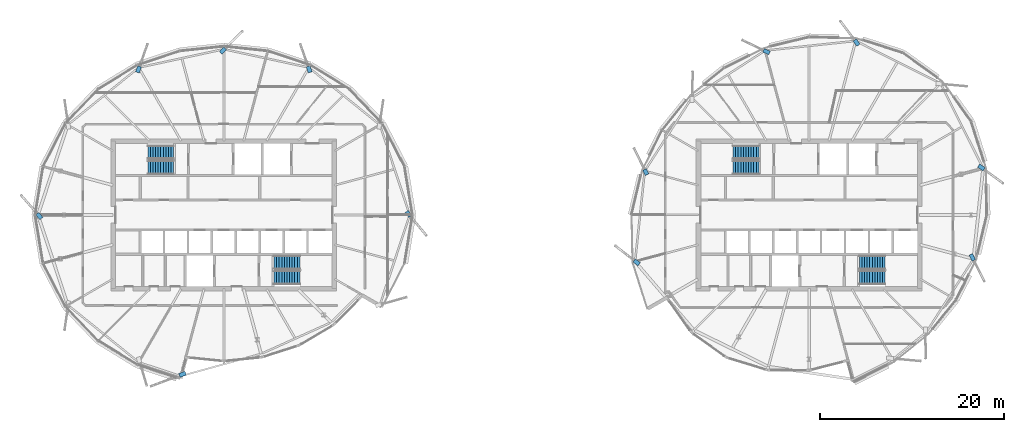
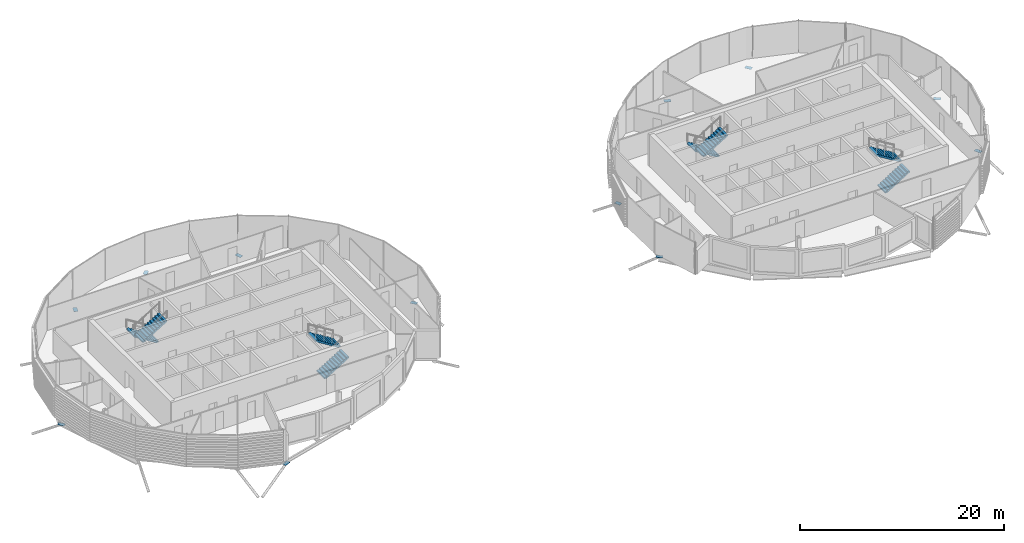
# One storey, part 22 of 33: 12 discrete accessories, 8 stair flights, 4 elements without a shape of their own.
"""IFC4 building model written with IfcOpenShell, lengths in metres."""

from ifc_helpers import new_model, si_unit, direction, frame, origin, origin_2d, place, context, subcontext, project, spatial, polyline, rectangle, outline, extrude, material, material_profile, profile_set, type_object, element, aggregate, save


model = new_model("IFC4")

# Units and contexts
model_context = context("Model", 3, precision=1e-05, world=origin(), true_north=direction((0.0, 1.0)))
body_context = subcontext(model_context, "Body", "Model", "MODEL_VIEW")
ifc_project = project(units=[si_unit("LENGTHUNIT", "METRE"), si_unit("AREAUNIT", "SQUARE_METRE"), si_unit("VOLUMEUNIT", "CUBIC_METRE"), si_unit("PLANEANGLEUNIT", "RADIAN"), si_unit("MASSUNIT", "GRAM", prefix="KILO")], contexts=[model_context])

# Site, building, storey
site_placement = place(None, origin())
site = spatial("IfcSite", under=ifc_project, at=site_placement, CompositionType="ELEMENT")
building_placement = place(site_placement, origin())
building = spatial("IfcBuilding", under=site, at=building_placement, Name="Rimbun Link Towers", CompositionType="ELEMENT")
storey_placement = place(building_placement, frame((0.0, 0.0, 240.89990234375)))
storey = spatial("IfcBuildingStorey", under=building, at=storey_placement, Name="L59", CompositionType="ELEMENT", Elevation=240.89990234375)

# Stair, stair flights
ifc_material_1 = material(Name="Concrete C40/50", Category="concrete")
stair_type = type_object("IfcStairType", Name="Exit stair 3800 rise", PredefinedType="HALF_TURN_STAIR", material=ifc_material_1)
stair_1_placement = place(storey_placement, origin())
stair_1 = element("IfcStair", 1, at=stair_1_placement, inside=storey, type_object=stair_type, Name="L59 EXIT STAIR A", PredefinedType="HALF_TURN_STAIR")
ifc_material_2 = material(Name="Concrete C40/50", Category="concrete")
stair_flight_type = type_object("IfcStairFlightType", Name="Exit stair flight 3800 rise", PredefinedType="STRAIGHT", material=ifc_material_2)
stair_flight_1_placement = place(storey_placement, frame((-37.199951171875, 6.800048828125, 0.0), z_axis=(0.0, 0.0, 1.0), x_axis=(-1.0, 0.0, 0.0)))
stair_flight_1 = element("IfcStairFlight", 2, at=stair_flight_1_placement, type_object=stair_flight_type, Name="ST1 flight 1", NumberOfRisers=11, NumberOfTreads=10, PredefinedType="STRAIGHT", RiserHeight=0.172727273, TreadLength=0.28, context=body_context, shape_type="SweptSolid", body=[
    extrude(outline(polyline([(0.0, 0.0), (0.0, 0.172607421875), (0.280029296875, 0.172607421875), (0.280029296875, 0.345458984375), (0.56005859375, 0.345458984375), (0.56005859375, 0.51806640625), (0.840087890625, 0.51806640625), (0.840087890625, 0.69091796875), (1.1201171875, 0.69091796875), (1.1201171875, 0.863525390625), (1.39990234375, 0.863525390625), (1.39990234375, 1.036376953125), (1.679931640625, 1.036376953125), (1.679931640625, 1.208984375), (1.9599609375, 1.208984375), (1.9599609375, 1.3818359375), (2.239990234375, 1.3818359375), (2.239990234375, 1.554443359375), (2.52001953125, 1.554443359375), (2.52001953125, 1.727294921875), (2.800048828125, 1.727294921875), (2.800048828125, 1.89990234375), (2.800048828125, 1.551025390625), (0.280029296875, 0.0), (0.0, 0.0)])), frame((0.0, 0.75, 0.0), z_axis=(0.0, -1.0, 0.0), x_axis=(1.0, 0.0, 0.0)), (0.0, 0.0, 1.0), 1.5),
])
stair_flight_2_placement = place(storey_placement, frame((-40.0, 5.14990234375, 1.900146484375), z_axis=(0.0, 0.0, 1.0), x_axis=(1.0, 0.0, 0.0)))
stair_flight_2 = element("IfcStairFlight", 3, at=stair_flight_2_placement, type_object=stair_flight_type, Name="ST1 flight 2", NumberOfRisers=11, NumberOfTreads=10, PredefinedType="STRAIGHT", RiserHeight=0.172727273, TreadLength=0.28, context=body_context, shape_type="SweptSolid", body=[
    extrude(outline(polyline([(0.0, 0.0), (0.0, 0.172607421875), (0.280029296875, 0.172607421875), (0.280029296875, 0.345458984375), (0.56005859375, 0.345458984375), (0.56005859375, 0.51806640625), (0.840087890625, 0.51806640625), (0.840087890625, 0.69091796875), (1.1201171875, 0.69091796875), (1.1201171875, 0.863525390625), (1.39990234375, 0.863525390625), (1.39990234375, 1.036376953125), (1.679931640625, 1.036376953125), (1.679931640625, 1.208984375), (1.9599609375, 1.208984375), (1.9599609375, 1.3818359375), (2.239990234375, 1.3818359375), (2.239990234375, 1.554443359375), (2.52001953125, 1.554443359375), (2.52001953125, 1.727294921875), (2.800048828125, 1.727294921875), (2.800048828125, 1.89990234375), (2.800048828125, 1.551025390625), (0.280029296875, 0.0), (0.0, 0.0)])), frame((0.0, 0.75, 0.0), z_axis=(0.0, -1.0, 0.0), x_axis=(1.0, 0.0, 0.0)), (0.0, 0.0, 1.0), 1.5),
])
aggregate(stair_1, [stair_flight_1, stair_flight_2])

stair_2_placement = place(storey_placement, origin())
stair_2 = element("IfcStair", 4, at=stair_2_placement, inside=storey, type_object=stair_type, Name="L59 EXIT STAIR B", PredefinedType="HALF_TURN_STAIR")
stair_flight_3_placement = place(storey_placement, frame((-26.300048828125, -6.800048828125, 0.0), z_axis=(0.0, 0.0, 1.0), x_axis=(1.0, 0.0, 0.0)))
stair_flight_3 = element("IfcStairFlight", 5, at=stair_flight_3_placement, type_object=stair_flight_type, Name="ST2 flight 1", NumberOfRisers=11, NumberOfTreads=10, PredefinedType="STRAIGHT", RiserHeight=0.172727273, TreadLength=0.28, context=body_context, shape_type="SweptSolid", body=[
    extrude(outline(polyline([(0.0, 0.0), (0.0, 0.172607421875), (0.280029296875, 0.172607421875), (0.280029296875, 0.345458984375), (0.56005859375, 0.345458984375), (0.56005859375, 0.51806640625), (0.840087890625, 0.51806640625), (0.840087890625, 0.69091796875), (1.1201171875, 0.69091796875), (1.1201171875, 0.863525390625), (1.39990234375, 0.863525390625), (1.39990234375, 1.036376953125), (1.679931640625, 1.036376953125), (1.679931640625, 1.208984375), (1.9599609375, 1.208984375), (1.9599609375, 1.3818359375), (2.239990234375, 1.3818359375), (2.239990234375, 1.554443359375), (2.52001953125, 1.554443359375), (2.52001953125, 1.727294921875), (2.800048828125, 1.727294921875), (2.800048828125, 1.89990234375), (2.800048828125, 1.551025390625), (0.280029296875, 0.0), (0.0, 0.0)])), frame((0.0, 0.75, 0.0), z_axis=(0.0, -1.0, 0.0), x_axis=(1.0, 0.0, 0.0)), (0.0, 0.0, 1.0), 1.5),
])
stair_flight_4_placement = place(storey_placement, frame((-23.5, -5.14990234375, 1.900146484375), z_axis=(0.0, 0.0, 1.0), x_axis=(-1.0, 0.0, 0.0)))
stair_flight_4 = element("IfcStairFlight", 6, at=stair_flight_4_placement, type_object=stair_flight_type, Name="ST2 flight 2", NumberOfRisers=11, NumberOfTreads=10, PredefinedType="STRAIGHT", RiserHeight=0.172727273, TreadLength=0.28, context=body_context, shape_type="SweptSolid", body=[
    extrude(outline(polyline([(0.0, 0.0), (0.0, 0.172607421875), (0.280029296875, 0.172607421875), (0.280029296875, 0.345458984375), (0.56005859375, 0.345458984375), (0.56005859375, 0.51806640625), (0.840087890625, 0.51806640625), (0.840087890625, 0.69091796875), (1.1201171875, 0.69091796875), (1.1201171875, 0.863525390625), (1.39990234375, 0.863525390625), (1.39990234375, 1.036376953125), (1.679931640625, 1.036376953125), (1.679931640625, 1.208984375), (1.9599609375, 1.208984375), (1.9599609375, 1.3818359375), (2.239990234375, 1.3818359375), (2.239990234375, 1.554443359375), (2.52001953125, 1.554443359375), (2.52001953125, 1.727294921875), (2.800048828125, 1.727294921875), (2.800048828125, 1.89990234375), (2.800048828125, 1.551025390625), (0.280029296875, 0.0), (0.0, 0.0)])), frame((0.0, 0.75, 0.0), z_axis=(0.0, -1.0, 0.0), x_axis=(1.0, 0.0, 0.0)), (0.0, 0.0, 1.0), 1.5),
])
aggregate(stair_2, [stair_flight_3, stair_flight_4])

stair_3_placement = place(storey_placement, origin())
stair_3 = element("IfcStair", 7, at=stair_3_placement, inside=storey, type_object=stair_type, Name="L59 EXIT STAIR A", PredefinedType="HALF_TURN_STAIR")
stair_flight_5_placement = place(storey_placement, frame((26.300048828125, 6.800048828125, 0.0), z_axis=(0.0, 0.0, 1.0), x_axis=(-1.0, 0.0, 0.0)))
stair_flight_5 = element("IfcStairFlight", 8, at=stair_flight_5_placement, type_object=stair_flight_type, Name="ST3 flight 1", NumberOfRisers=11, NumberOfTreads=10, PredefinedType="STRAIGHT", RiserHeight=0.172727273, TreadLength=0.28, context=body_context, shape_type="SweptSolid", body=[
    extrude(outline(polyline([(0.0, 0.0), (0.0, 0.172607421875), (0.280029296875, 0.172607421875), (0.280029296875, 0.345458984375), (0.56005859375, 0.345458984375), (0.56005859375, 0.51806640625), (0.840087890625, 0.51806640625), (0.840087890625, 0.69091796875), (1.1201171875, 0.69091796875), (1.1201171875, 0.863525390625), (1.39990234375, 0.863525390625), (1.39990234375, 1.036376953125), (1.679931640625, 1.036376953125), (1.679931640625, 1.208984375), (1.9599609375, 1.208984375), (1.9599609375, 1.3818359375), (2.239990234375, 1.3818359375), (2.239990234375, 1.554443359375), (2.52001953125, 1.554443359375), (2.52001953125, 1.727294921875), (2.800048828125, 1.727294921875), (2.800048828125, 1.89990234375), (2.800048828125, 1.551025390625), (0.280029296875, 0.0), (0.0, 0.0)])), frame((0.0, 0.75, 0.0), z_axis=(0.0, -1.0, 0.0), x_axis=(1.0, 0.0, 0.0)), (0.0, 0.0, 1.0), 1.5),
])
stair_flight_6_placement = place(storey_placement, frame((23.5, 5.14990234375, 1.900146484375), z_axis=(0.0, 0.0, 1.0), x_axis=(1.0, 0.0, 0.0)))
stair_flight_6 = element("IfcStairFlight", 9, at=stair_flight_6_placement, type_object=stair_flight_type, Name="ST3 flight 2", NumberOfRisers=11, NumberOfTreads=10, PredefinedType="STRAIGHT", RiserHeight=0.172727273, TreadLength=0.28, context=body_context, shape_type="SweptSolid", body=[
    extrude(outline(polyline([(0.0, 0.0), (0.0, 0.172607421875), (0.280029296875, 0.172607421875), (0.280029296875, 0.345458984375), (0.56005859375, 0.345458984375), (0.56005859375, 0.51806640625), (0.840087890625, 0.51806640625), (0.840087890625, 0.69091796875), (1.1201171875, 0.69091796875), (1.1201171875, 0.863525390625), (1.39990234375, 0.863525390625), (1.39990234375, 1.036376953125), (1.679931640625, 1.036376953125), (1.679931640625, 1.208984375), (1.9599609375, 1.208984375), (1.9599609375, 1.3818359375), (2.239990234375, 1.3818359375), (2.239990234375, 1.554443359375), (2.52001953125, 1.554443359375), (2.52001953125, 1.727294921875), (2.800048828125, 1.727294921875), (2.800048828125, 1.89990234375), (2.800048828125, 1.551025390625), (0.280029296875, 0.0), (0.0, 0.0)])), frame((0.0, 0.75, 0.0), z_axis=(0.0, -1.0, 0.0), x_axis=(1.0, 0.0, 0.0)), (0.0, 0.0, 1.0), 1.5),
])
aggregate(stair_3, [stair_flight_5, stair_flight_6])

stair_4_placement = place(storey_placement, origin())
stair_4 = element("IfcStair", 10, at=stair_4_placement, inside=storey, type_object=stair_type, Name="L59 EXIT STAIR B", PredefinedType="HALF_TURN_STAIR")
stair_flight_7_placement = place(storey_placement, frame((37.199951171875, -6.800048828125, 0.0), z_axis=(0.0, 0.0, 1.0), x_axis=(1.0, 0.0, 0.0)))
stair_flight_7 = element("IfcStairFlight", 11, at=stair_flight_7_placement, type_object=stair_flight_type, Name="ST4 flight 1", NumberOfRisers=11, NumberOfTreads=10, PredefinedType="STRAIGHT", RiserHeight=0.172727273, TreadLength=0.28, context=body_context, shape_type="SweptSolid", body=[
    extrude(outline(polyline([(0.0, 0.0), (0.0, 0.172607421875), (0.280029296875, 0.172607421875), (0.280029296875, 0.345458984375), (0.56005859375, 0.345458984375), (0.56005859375, 0.51806640625), (0.840087890625, 0.51806640625), (0.840087890625, 0.69091796875), (1.1201171875, 0.69091796875), (1.1201171875, 0.863525390625), (1.39990234375, 0.863525390625), (1.39990234375, 1.036376953125), (1.679931640625, 1.036376953125), (1.679931640625, 1.208984375), (1.9599609375, 1.208984375), (1.9599609375, 1.3818359375), (2.239990234375, 1.3818359375), (2.239990234375, 1.554443359375), (2.52001953125, 1.554443359375), (2.52001953125, 1.727294921875), (2.800048828125, 1.727294921875), (2.800048828125, 1.89990234375), (2.800048828125, 1.551025390625), (0.280029296875, 0.0), (0.0, 0.0)])), frame((0.0, 0.75, 0.0), z_axis=(0.0, -1.0, 0.0), x_axis=(1.0, 0.0, 0.0)), (0.0, 0.0, 1.0), 1.5),
])
stair_flight_8_placement = place(storey_placement, frame((40.0, -5.14990234375, 1.900146484375), z_axis=(0.0, 0.0, 1.0), x_axis=(-1.0, 0.0, 0.0)))
stair_flight_8 = element("IfcStairFlight", 12, at=stair_flight_8_placement, type_object=stair_flight_type, Name="ST4 flight 2", NumberOfRisers=11, NumberOfTreads=10, PredefinedType="STRAIGHT", RiserHeight=0.172727273, TreadLength=0.28, context=body_context, shape_type="SweptSolid", body=[
    extrude(outline(polyline([(0.0, 0.0), (0.0, 0.172607421875), (0.280029296875, 0.172607421875), (0.280029296875, 0.345458984375), (0.56005859375, 0.345458984375), (0.56005859375, 0.51806640625), (0.840087890625, 0.51806640625), (0.840087890625, 0.69091796875), (1.1201171875, 0.69091796875), (1.1201171875, 0.863525390625), (1.39990234375, 0.863525390625), (1.39990234375, 1.036376953125), (1.679931640625, 1.036376953125), (1.679931640625, 1.208984375), (1.9599609375, 1.208984375), (1.9599609375, 1.3818359375), (2.239990234375, 1.3818359375), (2.239990234375, 1.554443359375), (2.52001953125, 1.554443359375), (2.52001953125, 1.727294921875), (2.800048828125, 1.727294921875), (2.800048828125, 1.89990234375), (2.800048828125, 1.551025390625), (0.280029296875, 0.0), (0.0, 0.0)])), frame((0.0, 0.75, 0.0), z_axis=(0.0, -1.0, 0.0), x_axis=(1.0, 0.0, 0.0)), (0.0, 0.0, 1.0), 1.5),
])
aggregate(stair_4, [stair_flight_7, stair_flight_8])

# Discrete accessories
ifc_material_3 = material(Name="Steel S355J2H", Category="steel")
ifc_material_profile = material_profile(ifc_material_3, rectangle(XDim=0.43310546875, YDim=0.43310546875, at=origin_2d()), Name="PL 433x433")
ifc_profile_set = profile_set([ifc_material_profile], Name="Steel S355J2H")
discrete_accessory_type = type_object("IfcDiscreteAccessoryType", Name="Link head end plate 433X20", PredefinedType="BRACKET", material=ifc_profile_set)
discrete_accessory_1_placement = place(storey_placement, frame((0.0, 0.0, -0.61328125)))
element("IfcDiscreteAccessory", 13, at=discrete_accessory_1_placement, inside=storey, type_object=discrete_accessory_type, Name="Link head end plate T1 L59 00", PredefinedType="BRACKET", context=body_context, shape_type="SweptSolid", body=[
    extrude(outline(polyline([(-12.09912109375, 0.227294921875), (-11.67626953125, -0.28076171875), (-11.343505859375, -0.003662109375), (-11.76611328125, 0.50439453125), (-12.09912109375, 0.227294921875)])), origin(), (0.0, 0.0, 1.0), 0.02001953125),
])
discrete_accessory_2_placement = place(storey_placement, frame((0.0, 0.0, -0.693115234375)))
element("IfcDiscreteAccessory", 14, at=discrete_accessory_2_placement, inside=storey, type_object=discrete_accessory_type, Name="Link head end plate T1 L59 04", PredefinedType="BRACKET", context=body_context, shape_type="SweptSolid", body=[
    extrude(outline(polyline([(-22.170654296875, 15.538818359375), (-22.40087890625, 16.190673828125), (-22.80908203125, 16.04638671875), (-22.578857421875, 15.39453125), (-22.170654296875, 15.538818359375)])), origin(), (0.0, 0.0, 1.0), 0.02001953125),
])
discrete_accessory_3_placement = place(storey_placement, frame((0.0, 0.0, -0.693115234375)))
element("IfcDiscreteAccessory", 15, at=discrete_accessory_3_placement, inside=storey, type_object=discrete_accessory_type, Name="Link head end plate T1 L59 06", PredefinedType="BRACKET", context=body_context, shape_type="SweptSolid", body=[
    extrude(outline(polyline([(-31.936279296875, 17.44580078125), (-31.46630859375, 17.911865234375), (-31.77099609375, 18.219482421875), (-32.2412109375, 17.75341796875), (-31.936279296875, 17.44580078125)])), origin(), (0.0, 0.0, 1.0), 0.02001953125),
])
discrete_accessory_4_placement = place(storey_placement, frame((0.0, 0.0, -0.693115234375)))
element("IfcDiscreteAccessory", 16, at=discrete_accessory_4_placement, inside=storey, type_object=discrete_accessory_type, Name="Link head end plate T1 L59 08", PredefinedType="BRACKET", context=body_context, shape_type="SweptSolid", body=[
    extrude(outline(polyline([(-40.921142578125, 15.39453125), (-40.69091796875, 16.04638671875), (-41.09912109375, 16.190673828125), (-41.329345703125, 15.538818359375), (-40.921142578125, 15.39453125)])), origin(), (0.0, 0.0, 1.0), 0.02001953125),
])
discrete_accessory_5_placement = place(storey_placement, frame((0.0, 0.0, -1.00048828125)))
element("IfcDiscreteAccessory", 17, at=discrete_accessory_5_placement, inside=storey, type_object=discrete_accessory_type, Name="Link head end plate T1 L59 12", PredefinedType="BRACKET", context=body_context, shape_type="SweptSolid", body=[
    extrude(outline(polyline([(-51.37451171875, -0.239013671875), (-51.829833984375, 0.28076171875), (-52.155517578125, -0.004638671875), (-51.7001953125, -0.5244140625), (-51.37451171875, -0.239013671875)])), origin(), (0.0, 0.0, 1.0), 0.019775390625),
])
discrete_accessory_6_placement = place(storey_placement, frame((0.0, 0.0, -0.693115234375)))
element("IfcDiscreteAccessory", 18, at=discrete_accessory_6_placement, inside=storey, type_object=discrete_accessory_type, Name="Link head end plate T1 L59 17", PredefinedType="BRACKET", context=body_context, shape_type="SweptSolid", body=[
    extrude(outline(polyline([(-35.970703125, -16.964111328125), (-36.646484375, -17.21728515625), (-36.49462890625, -17.622802734375), (-35.818603515625, -17.36962890625), (-35.970703125, -16.964111328125)])), origin(), (0.0, 0.0, 1.0), 0.02001953125),
])
discrete_accessory_7_placement = place(storey_placement, frame((0.0, 0.0, -0.762451171875)))
element("IfcDiscreteAccessory", 19, at=discrete_accessory_7_placement, inside=storey, type_object=discrete_accessory_type, Name="Link head end plate T2 L59 02", PredefinedType="BRACKET", context=body_context, shape_type="SweptSolid", body=[
    extrude(outline(polyline([(37.279296875, 18.5517578125), (36.859130859375, 19.10986328125), (36.51318359375, 18.849609375), (36.93310546875, 18.291259765625), (37.279296875, 18.5517578125)])), origin(), (0.0, 0.0, 1.0), 0.02001953125),
])
discrete_accessory_8_placement = place(storey_placement, frame((0.0, 0.0, -0.693115234375)))
element("IfcDiscreteAccessory", 20, at=discrete_accessory_8_placement, inside=storey, type_object=discrete_accessory_type, Name="Link head end plate T2 L59 04", PredefinedType="BRACKET", context=body_context, shape_type="SweptSolid", body=[
    extrude(outline(polyline([(27.535888671875, 17.76123046875), (26.912353515625, 18.059326171875), (26.7255859375, 17.668701171875), (27.349365234375, 17.37060546875), (27.535888671875, 17.76123046875)])), origin(), (0.0, 0.0, 1.0), 0.02001953125),
])
discrete_accessory_9_placement = place(storey_placement, frame((0.0, 0.0, -0.46337890625)))
element("IfcDiscreteAccessory", 21, at=discrete_accessory_9_placement, inside=storey, type_object=discrete_accessory_type, Name="Link head end plate T2 L59 08", PredefinedType="BRACKET", context=body_context, shape_type="SweptSolid", body=[
    extrude(outline(polyline([(14.35546875, 4.462158203125), (14.076904296875, 5.02880859375), (13.6884765625, 4.837890625), (13.966796875, 4.27099609375), (14.35546875, 4.462158203125)])), origin(), (0.0, 0.0, 1.0), 0.02001953125),
])
discrete_accessory_10_placement = place(storey_placement, frame((0.0, 0.0, -0.56640625)))
element("IfcDiscreteAccessory", 22, at=discrete_accessory_10_placement, inside=storey, type_object=discrete_accessory_type, Name="Link head end plate T2 L59 10", PredefinedType="BRACKET", context=body_context, shape_type="SweptSolid", body=[
    extrude(outline(polyline([(13.4423828125, -5.17919921875), (12.903564453125, -4.7626953125), (12.638671875, -5.105224609375), (13.177490234375, -5.521728515625), (13.4423828125, -5.17919921875)])), origin(), (0.0, 0.0, 1.0), 0.02001953125),
])
discrete_accessory_11_placement = place(storey_placement, frame((0.0, 0.0, -1.00048828125)))
element("IfcDiscreteAccessory", 23, at=discrete_accessory_11_placement, inside=storey, type_object=discrete_accessory_type, Name="Link head end plate T2 L59 20", PredefinedType="BRACKET", context=body_context, shape_type="SweptSolid", body=[
    extrude(outline(polyline([(49.098876953125, -4.380126953125), (49.42333984375, -5.025634765625), (49.81005859375, -4.8310546875), (49.485595703125, -4.185546875), (49.098876953125, -4.380126953125)])), origin(), (0.0, 0.0, 1.0), 0.019775390625),
])
discrete_accessory_12_placement = place(storey_placement, frame((0.0, 0.0, -1.00048828125)))
element("IfcDiscreteAccessory", 24, at=discrete_accessory_12_placement, inside=storey, type_object=discrete_accessory_type, Name="Link head end plate T2 L59 22", PredefinedType="BRACKET", context=body_context, shape_type="SweptSolid", body=[
    extrude(outline(polyline([(50.018798828125, 5.189208984375), (50.603515625, 4.763916015625), (50.858154296875, 5.1142578125), (50.2734375, 5.53955078125), (50.018798828125, 5.189208984375)])), origin(), (0.0, 0.0, 1.0), 0.019775390625),
])

save(model, "model.ifc")
